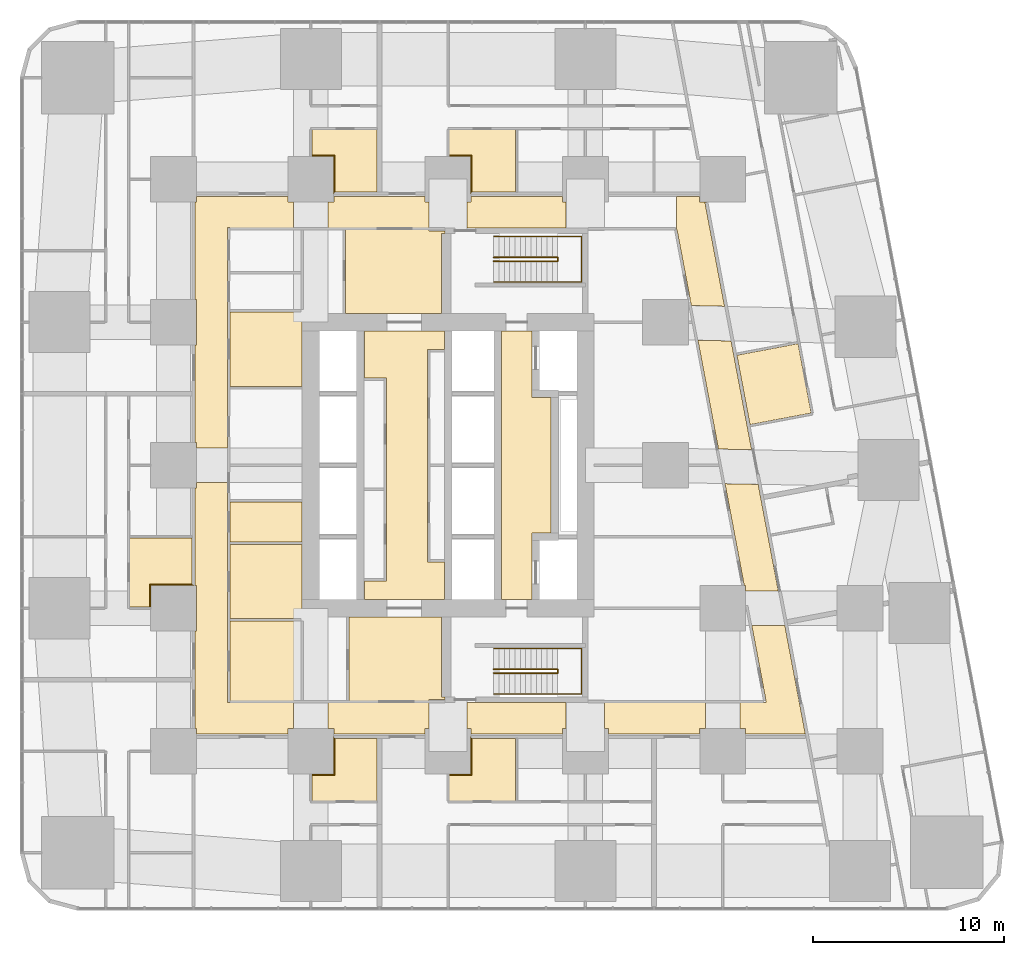
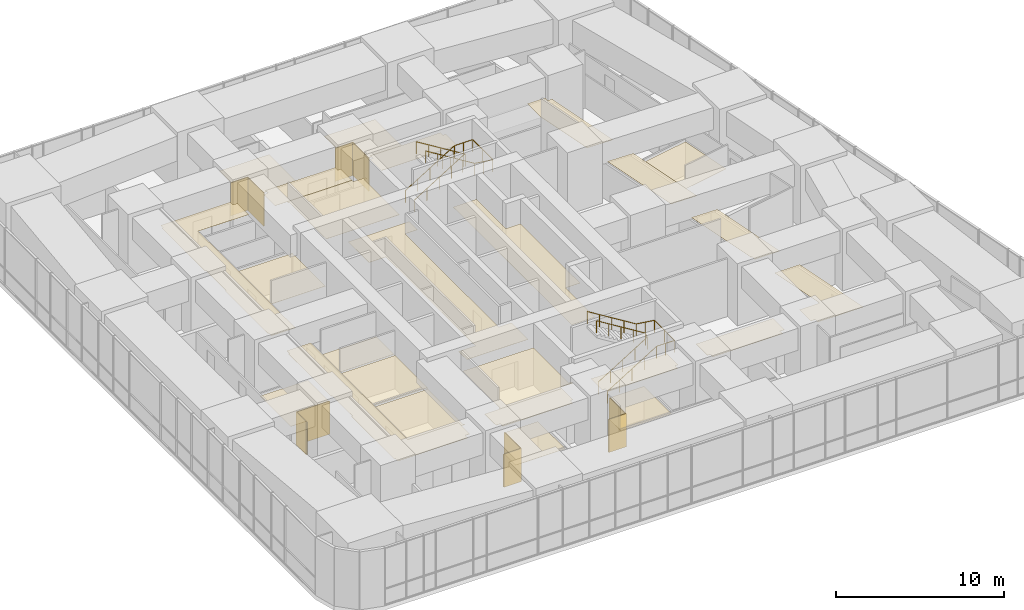
# One storey, part 21 of 22: 30 coverings, 4 railings.
"""IFC4 building model written with IfcOpenShell, lengths in metres."""

from ifc_helpers import new_model, si_unit, direction, frame, origin, origin_2d, place, context, subcontext, project, spatial, polyline, circle, outline, extrude, material, layer, layer_set, type_object, element, save


model = new_model("IFC4")

# Units and contexts
model_context = context("Model", 3, precision=1e-05, world=origin(), true_north=direction((0.0, 1.0)))
body_context = subcontext(model_context, "Body", "Model", "MODEL_VIEW")
ifc_project = project(units=[si_unit("LENGTHUNIT", "METRE"), si_unit("AREAUNIT", "SQUARE_METRE"), si_unit("VOLUMEUNIT", "CUBIC_METRE"), si_unit("PLANEANGLEUNIT", "RADIAN"), si_unit("MASSUNIT", "GRAM", prefix="KILO")], contexts=[model_context])

# Site, building, storey
site_placement = place(None, origin())
site = spatial("IfcSite", under=ifc_project, at=site_placement, CompositionType="ELEMENT")
building_placement = place(site_placement, origin())
building = spatial("IfcBuilding", under=site, at=building_placement, Name="Sheger Commons Tower", CompositionType="ELEMENT")
storey_placement = place(building_placement, frame((0.0, 0.0, 10.10009765625)))
storey = spatial("IfcBuildingStorey", under=building, at=storey_placement, Name="L02", CompositionType="ELEMENT", Elevation=10.10009765625)

# Railings
ifc_material_1 = material(Name="Steel handrail, black powder-coated", Category="steel")
railing_type = type_object("IfcRailingType", Name="HANDRAIL 900", PredefinedType="HANDRAIL", material=ifc_material_1)
railing_1_placement = place(storey_placement, frame((23.989990234375, 11.60009765625, 0.173095703125)))
element("IfcRailing", 1, at=railing_1_placement, inside=storey, type_object=railing_type, Name="Stair S1 handrail L02", PredefinedType="HANDRAIL", context=body_context, shape_type="SweptSolid", body=[
    extrude(circle(Radius=0.02392578125, at=origin_2d()), frame((0.0, 0.0, 0.8759765625), z_axis=(0.850623216509, 0.0, 0.525775754039), x_axis=(0.0, 1.0, 0.0)), (0.0, 0.0, 1.0), 3.9501953125),
    extrude(circle(Radius=0.02392578125, at=origin_2d()), frame((3.360107421875, 0.0, 2.95263671875), z_axis=(0.0, 0.756054473674, 0.654508695769), x_axis=(-1.0, 0.0, 0.0)), (0.0, 0.0, 1.0), 0.264404296875),
    extrude(circle(Radius=0.02392578125, at=origin_2d()), frame((3.360107421875, 0.199951171875, 3.1259765625), z_axis=(-0.850623216509, 0.0, 0.525775754039), x_axis=(0.0, -1.0, 0.0)), (0.0, 0.0, 1.0), 3.9501953125),
    extrude(circle(Radius=0.02099609375, at=origin_2d()), origin(), (0.0, 0.0, 1.0), 0.851806640625),
    extrude(circle(Radius=0.02099609375, at=origin_2d()), frame((0.840087890625, 0.0, 0.519287109375)), (0.0, 0.0, 1.0), 0.851806640625),
    extrude(circle(Radius=0.02099609375, at=origin_2d()), frame((1.68017578125, 0.0, 1.03857421875)), (0.0, 0.0, 1.0), 0.851806640625),
    extrude(circle(Radius=0.02099609375, at=origin_2d()), frame((2.52001953125, 0.0, 1.5576171875)), (0.0, 0.0, 1.0), 0.851806640625),
    extrude(circle(Radius=0.02099609375, at=origin_2d()), frame((3.360107421875, 0.0, 2.076904296875)), (0.0, 0.0, 1.0), 0.851806640625),
    extrude(circle(Radius=0.02099609375, at=origin_2d()), frame((3.360107421875, 0.199951171875, 2.25)), (0.0, 0.0, 1.0), 0.851806640625),
    extrude(circle(Radius=0.02099609375, at=origin_2d()), frame((2.52001953125, 0.199951171875, 2.769287109375)), (0.0, 0.0, 1.0), 0.851806640625),
    extrude(circle(Radius=0.02099609375, at=origin_2d()), frame((1.68017578125, 0.199951171875, 3.28857421875)), (0.0, 0.0, 1.0), 0.851806640625),
    extrude(circle(Radius=0.02099609375, at=origin_2d()), frame((0.840087890625, 0.199951171875, 3.8076171875)), (0.0, 0.0, 1.0), 0.851806640625),
    extrude(circle(Radius=0.02099609375, at=origin_2d()), frame((0.0, 0.199951171875, 4.326904296875)), (0.0, 0.0, 1.0), 0.851806640625),
])
railing_2_placement = place(storey_placement, frame((23.989990234375, 10.5, 0.173095703125)))
element("IfcRailing", 2, at=railing_2_placement, inside=storey, type_object=railing_type, Name="Stair S1 handrail L02", PredefinedType="HANDRAIL", context=body_context, shape_type="SweptSolid", body=[
    extrude(circle(Radius=0.02392578125, at=origin_2d()), frame((0.0, 0.0, 0.8759765625), z_axis=(0.850623216509, 0.0, 0.525775754039), x_axis=(0.0, 1.0, 0.0)), (0.0, 0.0, 1.0), 3.9501953125),
    extrude(circle(Radius=0.02392578125, at=origin_2d()), frame((3.360107421875, 0.0, 2.95263671875), z_axis=(1.0, 0.0, 0.0), x_axis=(0.0, 1.0, 0.0)), (0.0, 0.0, 1.0), 1.25),
    extrude(circle(Radius=0.02392578125, at=origin_2d()), frame((4.610107421875, 0.0, 2.95263671875), z_axis=(0.0, 1.0, 0.0), x_axis=(-1.0, 0.0, 0.0)), (0.0, 0.0, 1.0), 2.39990234375),
    extrude(circle(Radius=0.02392578125, at=origin_2d()), frame((4.610107421875, 2.39990234375, 2.95263671875), z_axis=(-0.990547844832, 0.0, 0.137167660544), x_axis=(0.0, -1.0, 0.0)), (0.0, 0.0, 1.0), 1.261962890625),
    extrude(circle(Radius=0.02392578125, at=origin_2d()), frame((3.360107421875, 2.39990234375, 3.1259765625), z_axis=(-0.850623216509, 0.0, 0.525775754039), x_axis=(0.0, -1.0, 0.0)), (0.0, 0.0, 1.0), 3.9501953125),
    extrude(circle(Radius=0.02099609375, at=origin_2d()), origin(), (0.0, 0.0, 1.0), 0.851806640625),
    extrude(circle(Radius=0.02099609375, at=origin_2d()), frame((0.840087890625, 0.0, 0.519287109375)), (0.0, 0.0, 1.0), 0.851806640625),
    extrude(circle(Radius=0.02099609375, at=origin_2d()), frame((1.68017578125, 0.0, 1.03857421875)), (0.0, 0.0, 1.0), 0.851806640625),
    extrude(circle(Radius=0.02099609375, at=origin_2d()), frame((2.52001953125, 0.0, 1.5576171875)), (0.0, 0.0, 1.0), 0.851806640625),
    extrude(circle(Radius=0.02099609375, at=origin_2d()), frame((3.360107421875, 0.0, 2.076904296875)), (0.0, 0.0, 1.0), 0.851806640625),
    extrude(circle(Radius=0.02099609375, at=origin_2d()), frame((3.985107421875, 0.0, 2.076904296875)), (0.0, 0.0, 1.0), 0.851806640625),
    extrude(circle(Radius=0.02099609375, at=origin_2d()), frame((4.610107421875, 0.0, 2.076904296875)), (0.0, 0.0, 1.0), 0.851806640625),
    extrude(circle(Radius=0.02099609375, at=origin_2d()), frame((4.610107421875, 1.199951171875, 2.076904296875)), (0.0, 0.0, 1.0), 0.851806640625),
    extrude(circle(Radius=0.02099609375, at=origin_2d()), frame((4.610107421875, 2.39990234375, 2.076904296875)), (0.0, 0.0, 1.0), 0.851806640625),
    extrude(circle(Radius=0.02099609375, at=origin_2d()), frame((3.985107421875, 2.39990234375, 2.16357421875)), (0.0, 0.0, 1.0), 0.851806640625),
    extrude(circle(Radius=0.02099609375, at=origin_2d()), frame((3.360107421875, 2.39990234375, 2.25)), (0.0, 0.0, 1.0), 0.851806640625),
    extrude(circle(Radius=0.02099609375, at=origin_2d()), frame((2.52001953125, 2.39990234375, 2.769287109375)), (0.0, 0.0, 1.0), 0.851806640625),
    extrude(circle(Radius=0.02099609375, at=origin_2d()), frame((1.68017578125, 2.39990234375, 3.28857421875)), (0.0, 0.0, 1.0), 0.851806640625),
    extrude(circle(Radius=0.02099609375, at=origin_2d()), frame((0.840087890625, 2.39990234375, 3.8076171875)), (0.0, 0.0, 1.0), 0.851806640625),
    extrude(circle(Radius=0.02099609375, at=origin_2d()), frame((0.0, 2.39990234375, 4.326904296875)), (0.0, 0.0, 1.0), 0.851806640625),
])
railing_3_placement = place(storey_placement, frame((23.989990234375, 33.39990234375, 0.173095703125)))
element("IfcRailing", 3, at=railing_3_placement, inside=storey, type_object=railing_type, Name="Stair S2 handrail L02", PredefinedType="HANDRAIL", context=body_context, shape_type="SweptSolid", body=[
    extrude(circle(Radius=0.02392578125, at=origin_2d()), frame((0.0, 0.0, 0.8759765625), z_axis=(0.850623216509, 0.0, 0.525775754039), x_axis=(0.0, 1.0, 0.0)), (0.0, 0.0, 1.0), 3.9501953125),
    extrude(circle(Radius=0.02392578125, at=origin_2d()), frame((3.360107421875, 0.0, 2.95263671875), z_axis=(0.0, -0.756054473674, 0.654508695769), x_axis=(1.0, 0.0, 0.0)), (0.0, 0.0, 1.0), 0.264404296875),
    extrude(circle(Radius=0.02392578125, at=origin_2d()), frame((3.360107421875, -0.199951171875, 3.1259765625), z_axis=(-0.850623216509, 0.0, 0.525775754039), x_axis=(0.0, -1.0, 0.0)), (0.0, 0.0, 1.0), 3.9501953125),
    extrude(circle(Radius=0.02099609375, at=origin_2d()), origin(), (0.0, 0.0, 1.0), 0.851806640625),
    extrude(circle(Radius=0.02099609375, at=origin_2d()), frame((0.840087890625, 0.0, 0.519287109375)), (0.0, 0.0, 1.0), 0.851806640625),
    extrude(circle(Radius=0.02099609375, at=origin_2d()), frame((1.68017578125, 0.0, 1.03857421875)), (0.0, 0.0, 1.0), 0.851806640625),
    extrude(circle(Radius=0.02099609375, at=origin_2d()), frame((2.52001953125, 0.0, 1.5576171875)), (0.0, 0.0, 1.0), 0.851806640625),
    extrude(circle(Radius=0.02099609375, at=origin_2d()), frame((3.360107421875, 0.0, 2.076904296875)), (0.0, 0.0, 1.0), 0.851806640625),
    extrude(circle(Radius=0.02099609375, at=origin_2d()), frame((3.360107421875, -0.199951171875, 2.25)), (0.0, 0.0, 1.0), 0.851806640625),
    extrude(circle(Radius=0.02099609375, at=origin_2d()), frame((2.52001953125, -0.199951171875, 2.769287109375)), (0.0, 0.0, 1.0), 0.851806640625),
    extrude(circle(Radius=0.02099609375, at=origin_2d()), frame((1.68017578125, -0.199951171875, 3.28857421875)), (0.0, 0.0, 1.0), 0.851806640625),
    extrude(circle(Radius=0.02099609375, at=origin_2d()), frame((0.840087890625, -0.199951171875, 3.8076171875)), (0.0, 0.0, 1.0), 0.851806640625),
    extrude(circle(Radius=0.02099609375, at=origin_2d()), frame((0.0, -0.199951171875, 4.326904296875)), (0.0, 0.0, 1.0), 0.851806640625),
])
railing_4_placement = place(storey_placement, frame((23.989990234375, 34.5, 0.173095703125)))
element("IfcRailing", 4, at=railing_4_placement, inside=storey, type_object=railing_type, Name="Stair S2 handrail L02", PredefinedType="HANDRAIL", context=body_context, shape_type="SweptSolid", body=[
    extrude(circle(Radius=0.02392578125, at=origin_2d()), frame((0.0, 0.0, 0.8759765625), z_axis=(0.850623216509, 0.0, 0.525775754039), x_axis=(0.0, 1.0, 0.0)), (0.0, 0.0, 1.0), 3.9501953125),
    extrude(circle(Radius=0.02392578125, at=origin_2d()), frame((3.360107421875, 0.0, 2.95263671875), z_axis=(1.0, 0.0, 0.0), x_axis=(0.0, 1.0, 0.0)), (0.0, 0.0, 1.0), 1.25),
    extrude(circle(Radius=0.02392578125, at=origin_2d()), frame((4.610107421875, 0.0, 2.95263671875), z_axis=(0.0, -1.0, 0.0), x_axis=(1.0, 0.0, 0.0)), (0.0, 0.0, 1.0), 2.39990234375),
    extrude(circle(Radius=0.02392578125, at=origin_2d()), frame((4.610107421875, -2.39990234375, 2.95263671875), z_axis=(-0.990547844832, 0.0, 0.137167660544), x_axis=(0.0, -1.0, 0.0)), (0.0, 0.0, 1.0), 1.261962890625),
    extrude(circle(Radius=0.02392578125, at=origin_2d()), frame((3.360107421875, -2.39990234375, 3.1259765625), z_axis=(-0.850623216509, 0.0, 0.525775754039), x_axis=(0.0, -1.0, 0.0)), (0.0, 0.0, 1.0), 3.9501953125),
    extrude(circle(Radius=0.02099609375, at=origin_2d()), origin(), (0.0, 0.0, 1.0), 0.851806640625),
    extrude(circle(Radius=0.02099609375, at=origin_2d()), frame((0.840087890625, 0.0, 0.519287109375)), (0.0, 0.0, 1.0), 0.851806640625),
    extrude(circle(Radius=0.02099609375, at=origin_2d()), frame((1.68017578125, 0.0, 1.03857421875)), (0.0, 0.0, 1.0), 0.851806640625),
    extrude(circle(Radius=0.02099609375, at=origin_2d()), frame((2.52001953125, 0.0, 1.5576171875)), (0.0, 0.0, 1.0), 0.851806640625),
    extrude(circle(Radius=0.02099609375, at=origin_2d()), frame((3.360107421875, 0.0, 2.076904296875)), (0.0, 0.0, 1.0), 0.851806640625),
    extrude(circle(Radius=0.02099609375, at=origin_2d()), frame((3.985107421875, 0.0, 2.076904296875)), (0.0, 0.0, 1.0), 0.851806640625),
    extrude(circle(Radius=0.02099609375, at=origin_2d()), frame((4.610107421875, 0.0, 2.076904296875)), (0.0, 0.0, 1.0), 0.851806640625),
    extrude(circle(Radius=0.02099609375, at=origin_2d()), frame((4.610107421875, -1.199951171875, 2.076904296875)), (0.0, 0.0, 1.0), 0.851806640625),
    extrude(circle(Radius=0.02099609375, at=origin_2d()), frame((4.610107421875, -2.39990234375, 2.076904296875)), (0.0, 0.0, 1.0), 0.851806640625),
    extrude(circle(Radius=0.02099609375, at=origin_2d()), frame((3.985107421875, -2.39990234375, 2.16357421875)), (0.0, 0.0, 1.0), 0.851806640625),
    extrude(circle(Radius=0.02099609375, at=origin_2d()), frame((3.360107421875, -2.39990234375, 2.25)), (0.0, 0.0, 1.0), 0.851806640625),
    extrude(circle(Radius=0.02099609375, at=origin_2d()), frame((2.52001953125, -2.39990234375, 2.769287109375)), (0.0, 0.0, 1.0), 0.851806640625),
    extrude(circle(Radius=0.02099609375, at=origin_2d()), frame((1.68017578125, -2.39990234375, 3.28857421875)), (0.0, 0.0, 1.0), 0.851806640625),
    extrude(circle(Radius=0.02099609375, at=origin_2d()), frame((0.840087890625, -2.39990234375, 3.8076171875)), (0.0, 0.0, 1.0), 0.851806640625),
    extrude(circle(Radius=0.02099609375, at=origin_2d()), frame((0.0, -2.39990234375, 4.326904296875)), (0.0, 0.0, 1.0), 0.851806640625),
])

# Coverings
ifc_material_2 = material(Name="Moisture-resistant gypsum plasterboard 15 mm on a suspended galvanised steel grid", Category="steel")
ifc_layer_1 = layer(ifc_material_2, 0.014892578125)
ifc_layer_set_1 = layer_set([ifc_layer_1], Name="MOISTURE-RESISTANT CEILING 15")
covering_type_1 = type_object("IfcCoveringType", Name="MOISTURE-RESISTANT CEILING 15", PredefinedType="CEILING", material=ifc_layer_set_1)
covering_1_placement = place(storey_placement, frame((0.0, 0.0, 2.39990234375)))
element("IfcCovering", 5, at=covering_1_placement, inside=storey, type_object=covering_type_1, Name="L02-02.B1 ceiling", PredefinedType="CEILING", context=body_context, shape_type="SweptSolid", body=[
    extrude(outline(polyline([(4.905029296875, 15.054931640625), (5.9951171875, 15.054931640625), (5.9951171875, 16.205078125), (8.169921875, 16.205078125), (8.169921875, 18.695068359375), (4.905029296875, 18.695068359375), (4.905029296875, 15.054931640625)])), origin(), (0.0, 0.0, 1.0), 0.014892578125),
])
covering_2_placement = place(storey_placement, frame((0.0, 0.0, 2.39990234375)))
element("IfcCovering", 6, at=covering_2_placement, inside=storey, type_object=covering_type_1, Name="L02-04.B1 ceiling", PredefinedType="CEILING", context=body_context, shape_type="SweptSolid", body=[
    extrude(outline(polyline([(14.455078125, 4.905029296875), (17.8701171875, 4.905029296875), (17.8701171875, 8.169921875), (15.60498046875, 8.169921875), (15.60498046875, 6.294921875), (14.455078125, 6.294921875), (14.455078125, 4.905029296875)])), origin(), (0.0, 0.0, 1.0), 0.014892578125),
])
covering_3_placement = place(storey_placement, frame((0.0, 0.0, 2.39990234375)))
element("IfcCovering", 7, at=covering_3_placement, inside=storey, type_object=covering_type_1, Name="L02-05.B1 ceiling", PredefinedType="CEILING", context=body_context, shape_type="SweptSolid", body=[
    extrude(outline(polyline([(21.655029296875, 4.905029296875), (25.14501953125, 4.905029296875), (25.14501953125, 8.169921875), (22.804931640625, 8.169921875), (22.804931640625, 6.294921875), (21.655029296875, 6.294921875), (21.655029296875, 4.905029296875)])), origin(), (0.0, 0.0, 1.0), 0.014892578125),
])
covering_4_placement = place(storey_placement, frame((0.0, 0.0, 2.39990234375)))
element("IfcCovering", 8, at=covering_4_placement, inside=storey, type_object=covering_type_1, Name="L02-07.B1 ceiling", PredefinedType="CEILING", context=body_context, shape_type="SweptSolid", body=[
    extrude(outline(polyline([(37.43408203125, 24.6298828125), (40.64111328125, 25.236083984375), (39.952880859375, 28.876953125), (36.74609375, 28.27099609375), (37.43408203125, 24.6298828125)])), origin(), (0.0, 0.0, 1.0), 0.014892578125),
])
covering_5_placement = place(storey_placement, frame((0.0, 0.0, 2.39990234375)))
element("IfcCovering", 9, at=covering_5_placement, inside=storey, type_object=covering_type_1, Name="L02-10.B1 ceiling", PredefinedType="CEILING", context=body_context, shape_type="SweptSolid", body=[
    extrude(outline(polyline([(15.60498046875, 36.830078125), (17.8701171875, 36.830078125), (17.8701171875, 40.094970703125), (14.455078125, 40.094970703125), (14.455078125, 38.705078125), (15.60498046875, 38.705078125), (15.60498046875, 36.830078125)])), origin(), (0.0, 0.0, 1.0), 0.014892578125),
])
covering_6_placement = place(storey_placement, frame((0.0, 0.0, 2.39990234375)))
element("IfcCovering", 10, at=covering_6_placement, inside=storey, type_object=covering_type_1, Name="L02-11.B1 ceiling", PredefinedType="CEILING", context=body_context, shape_type="SweptSolid", body=[
    extrude(outline(polyline([(22.804931640625, 36.830078125), (25.14501953125, 36.830078125), (25.14501953125, 40.094970703125), (21.655029296875, 40.094970703125), (21.655029296875, 38.705078125), (22.804931640625, 38.705078125), (22.804931640625, 36.830078125)])), origin(), (0.0, 0.0, 1.0), 0.014892578125),
])
covering_7_placement = place(storey_placement, frame((0.0, 0.0, 2.39990234375)))
element("IfcCovering", 11, at=covering_7_placement, inside=storey, type_object=covering_type_1, Name="L02-SVW0 ceiling", PredefinedType="CEILING", context=body_context, shape_type="SweptSolid", body=[
    extrude(outline(polyline([(10.16796875, 10.050048828125), (13.949951171875, 10.050048828125), (13.949951171875, 10.157958984375), (13.882080078125, 10.157958984375), (13.882080078125, 14.33203125), (10.16796875, 14.33203125), (10.16796875, 10.050048828125)])), origin(), (0.0, 0.0, 1.0), 0.014892578125),
])
covering_8_placement = place(storey_placement, frame((0.0, 0.0, 2.39990234375)))
element("IfcCovering", 12, at=covering_8_placement, inside=storey, type_object=covering_type_1, Name="L02-SVW1 ceiling", PredefinedType="CEILING", context=body_context, shape_type="SweptSolid", body=[
    extrude(outline(polyline([(13.89306640625, 14.39990234375), (13.949951171875, 14.39990234375), (13.949951171875, 14.544921875), (13.945068359375, 14.544921875), (13.945068359375, 15.455078125), (13.949951171875, 15.455078125), (13.949951171875, 18.33203125), (10.16796875, 18.33203125), (10.16796875, 14.468017578125), (13.89306640625, 14.468017578125), (13.89306640625, 14.39990234375)])), origin(), (0.0, 0.0, 1.0), 0.014892578125),
])
covering_9_placement = place(storey_placement, frame((0.0, 0.0, 2.39990234375)))
element("IfcCovering", 13, at=covering_9_placement, inside=storey, type_object=covering_type_1, Name="L02-SVW1b ceiling", PredefinedType="CEILING", context=body_context, shape_type="SweptSolid", body=[
    extrude(outline(polyline([(10.16796875, 18.467041015625), (13.949951171875, 18.467041015625), (13.949951171875, 20.58203125), (10.16796875, 20.58203125), (10.16796875, 18.467041015625)])), origin(), (0.0, 0.0, 1.0), 0.014892578125),
])
covering_10_placement = place(storey_placement, frame((0.0, 0.0, 2.39990234375)))
element("IfcCovering", 14, at=covering_10_placement, inside=storey, type_object=covering_type_1, Name="L02-SVW2b ceiling", PredefinedType="CEILING", context=body_context, shape_type="SweptSolid", body=[
    extrude(outline(polyline([(10.16796875, 26.616943359375), (13.949951171875, 26.616943359375), (13.949951171875, 29.544921875), (13.945068359375, 29.544921875), (13.945068359375, 30.455078125), (13.949951171875, 30.455078125), (13.949951171875, 30.60009765625), (13.89306640625, 30.60009765625), (13.89306640625, 30.532958984375), (10.16796875, 30.532958984375), (10.16796875, 26.616943359375)])), origin(), (0.0, 0.0, 1.0), 0.014892578125),
])
ifc_material_3 = material(Name="Gypsum plasterboard 15 mm on a suspended steel grid", Category="steel")
ifc_layer_2 = layer(ifc_material_3, 0.014892578125)
ifc_layer_set_2 = layer_set([ifc_layer_2], Name="SUSPENDED CEILING 15")
covering_type_2 = type_object("IfcCoveringType", Name="SUSPENDED CEILING 15", PredefinedType="CEILING", material=ifc_layer_set_2)
covering_11_placement = place(storey_placement, frame((0.0, 0.0, 2.699951171875)))
element("IfcCovering", 15, at=covering_11_placement, inside=storey, type_object=covering_type_2, Name="L02-CO ceiling", PredefinedType="CEILING", context=body_context, shape_type="SweptSolid", body=[
    extrude(outline(polyline([(8.405029296875, 8.405029296875), (13.195068359375, 8.405029296875), (13.195068359375, 8.705078125), (13.4951171875, 8.705078125), (13.4951171875, 10.050048828125), (10.16796875, 10.050048828125), (10.16796875, 10.044921875), (10.031982421875, 10.044921875), (10.031982421875, 21.594970703125), (8.405029296875, 21.594970703125), (8.405029296875, 21.294921875), (8.330078125, 21.294921875), (8.330078125, 16.205078125), (8.405029296875, 16.205078125), (8.405029296875, 13.794921875), (8.330078125, 13.794921875), (8.330078125, 8.705078125), (8.405029296875, 8.705078125), (8.405029296875, 8.405029296875)])), origin(), (0.0, 0.0, 1.0), 0.014892578125),
])
covering_12_placement = place(storey_placement, frame((0.0, 0.0, 2.699951171875)))
element("IfcCovering", 16, at=covering_12_placement, inside=storey, type_object=covering_type_2, Name="L02-CO ceiling", PredefinedType="CEILING", context=body_context, shape_type="SweptSolid", body=[
    extrude(outline(polyline([(15.60498046875, 8.405029296875), (20.39501953125, 8.405029296875), (20.39501953125, 8.705078125), (20.594970703125, 8.705078125), (20.594970703125, 10.050048828125), (15.304931640625, 10.050048828125), (15.304931640625, 8.705078125), (15.60498046875, 8.705078125), (15.60498046875, 8.405029296875)])), origin(), (0.0, 0.0, 1.0), 0.014892578125),
])
covering_13_placement = place(storey_placement, frame((0.0, 0.0, 2.699951171875)))
element("IfcCovering", 17, at=covering_13_placement, inside=storey, type_object=covering_type_2, Name="L02-CO ceiling", PredefinedType="CEILING", context=body_context, shape_type="SweptSolid", body=[
    extrude(outline(polyline([(22.804931640625, 8.405029296875), (27.594970703125, 8.405029296875), (27.594970703125, 8.705078125), (27.794921875, 8.705078125), (27.794921875, 10.044921875), (22.60498046875, 10.044921875), (22.60498046875, 8.705078125), (22.804931640625, 8.705078125), (22.804931640625, 8.405029296875)])), origin(), (0.0, 0.0, 1.0), 0.014892578125),
])
covering_14_placement = place(storey_placement, frame((0.0, 0.0, 2.699951171875)))
element("IfcCovering", 18, at=covering_14_placement, inside=storey, type_object=covering_type_2, Name="L02-CO ceiling", PredefinedType="CEILING", context=body_context, shape_type="SweptSolid", body=[
    extrude(outline(polyline([(30.0048828125, 8.405029296875), (34.794921875, 8.405029296875), (34.794921875, 8.705078125), (35.094970703125, 8.705078125), (35.094970703125, 10.050048828125), (29.804931640625, 10.050048828125), (29.804931640625, 8.705078125), (30.0048828125, 8.705078125), (30.0048828125, 8.405029296875)])), origin(), (0.0, 0.0, 1.0), 0.014892578125),
])
covering_15_placement = place(storey_placement, frame((0.0, 0.0, 2.699951171875)))
element("IfcCovering", 19, at=covering_15_placement, inside=storey, type_object=covering_type_2, Name="L02-CO ceiling", PredefinedType="CEILING", context=body_context, shape_type="SweptSolid", body=[
    extrude(outline(polyline([(37.205078125, 8.405029296875), (40.3349609375, 8.405029296875), (39.260009765625, 14.094970703125), (37.528076171875, 14.094970703125), (38.26904296875, 10.1708984375), (38.251953125, 10.1669921875), (38.27392578125, 10.050048828125), (36.905029296875, 10.050048828125), (36.905029296875, 8.705078125), (37.205078125, 8.705078125), (37.205078125, 8.405029296875)])), origin(), (0.0, 0.0, 1.0), 0.014892578125),
])
covering_16_placement = place(storey_placement, frame((0.0, 0.0, 2.699951171875)))
element("IfcCovering", 20, at=covering_16_placement, inside=storey, type_object=covering_type_2, Name="L02-CO ceiling", PredefinedType="CEILING", context=body_context, shape_type="SweptSolid", body=[
    extrude(outline(polyline([(37.205078125, 15.905029296875), (38.9189453125, 15.905029296875), (37.863037109375, 21.49609375), (36.123046875, 21.531982421875), (37.1259765625, 16.220947265625), (37.10888671875, 16.217041015625), (37.111083984375, 16.205078125), (37.205078125, 16.205078125), (37.205078125, 15.905029296875)])), origin(), (0.0, 0.0, 1.0), 0.014892578125),
])
covering_17_placement = place(storey_placement, frame((0.0, 0.0, 2.699951171875)))
element("IfcCovering", 21, at=covering_17_placement, inside=storey, type_object=covering_type_2, Name="L02-CO ceiling", PredefinedType="CEILING", context=body_context, shape_type="SweptSolid", body=[
    extrude(outline(polyline([(37.51904296875, 23.31396484375), (36.44189453125, 29.01708984375), (34.701904296875, 29.055908203125), (35.780029296875, 23.34912109375), (37.51904296875, 23.31396484375)])), origin(), (0.0, 0.0, 1.0), 0.014892578125),
])
covering_18_placement = place(storey_placement, frame((0.0, 0.0, 2.699951171875)))
element("IfcCovering", 22, at=covering_18_placement, inside=storey, type_object=covering_type_2, Name="L02-CO ceiling", PredefinedType="CEILING", context=body_context, shape_type="SweptSolid", body=[
    extrude(outline(polyline([(8.405029296875, 23.405029296875), (10.031982421875, 23.405029296875), (10.031982421875, 34.955078125), (10.16796875, 34.955078125), (10.16796875, 34.949951171875), (13.4951171875, 34.949951171875), (13.4951171875, 36.294921875), (13.195068359375, 36.294921875), (13.195068359375, 36.594970703125), (8.405029296875, 36.594970703125), (8.405029296875, 36.294921875), (8.330078125, 36.294921875), (8.330078125, 31.205078125), (8.405029296875, 31.205078125), (8.405029296875, 28.794921875), (8.330078125, 28.794921875), (8.330078125, 23.705078125), (8.405029296875, 23.705078125), (8.405029296875, 23.405029296875)])), origin(), (0.0, 0.0, 1.0), 0.014892578125),
])
covering_19_placement = place(storey_placement, frame((0.0, 0.0, 2.699951171875)))
element("IfcCovering", 23, at=covering_19_placement, inside=storey, type_object=covering_type_2, Name="L02-CO ceiling", PredefinedType="CEILING", context=body_context, shape_type="SweptSolid", body=[
    extrude(outline(polyline([(36.09912109375, 30.8349609375), (35.071044921875, 36.27490234375), (35.14892578125, 36.2900390625), (35.14794921875, 36.294921875), (34.794921875, 36.294921875), (34.794921875, 36.594970703125), (33.572998046875, 36.594970703125), (33.572998046875, 34.947998046875), (33.571044921875, 34.947998046875), (33.589111328125, 34.85205078125), (33.60595703125, 34.85498046875), (34.29296875, 31.220947265625), (34.27587890625, 31.217041015625), (34.31005859375, 31.037109375), (34.326904296875, 31.0400390625), (34.35888671875, 30.875), (36.09912109375, 30.8349609375)])), origin(), (0.0, 0.0, 1.0), 0.014892578125),
])
covering_20_placement = place(storey_placement, frame((0.0, 0.0, 2.699951171875)))
element("IfcCovering", 24, at=covering_20_placement, inside=storey, type_object=covering_type_2, Name="L02-CO ceiling", PredefinedType="CEILING", context=body_context, shape_type="SweptSolid", body=[
    extrude(outline(polyline([(15.304931640625, 34.949951171875), (20.594970703125, 34.949951171875), (20.594970703125, 36.294921875), (20.39501953125, 36.294921875), (20.39501953125, 36.594970703125), (15.60498046875, 36.594970703125), (15.60498046875, 36.294921875), (15.304931640625, 36.294921875), (15.304931640625, 34.949951171875)])), origin(), (0.0, 0.0, 1.0), 0.014892578125),
])
covering_21_placement = place(storey_placement, frame((0.0, 0.0, 2.699951171875)))
element("IfcCovering", 25, at=covering_21_placement, inside=storey, type_object=covering_type_2, Name="L02-CO ceiling", PredefinedType="CEILING", context=body_context, shape_type="SweptSolid", body=[
    extrude(outline(polyline([(22.60498046875, 34.949951171875), (27.794921875, 34.949951171875), (27.794921875, 36.294921875), (27.594970703125, 36.294921875), (27.594970703125, 36.594970703125), (22.804931640625, 36.594970703125), (22.804931640625, 36.294921875), (22.60498046875, 36.294921875), (22.60498046875, 34.949951171875)])), origin(), (0.0, 0.0, 1.0), 0.014892578125),
])
covering_22_placement = place(storey_placement, frame((0.0, 0.0, 2.699951171875)))
element("IfcCovering", 26, at=covering_22_placement, inside=storey, type_object=covering_type_2, Name="L02-SVS1 ceiling", PredefinedType="CEILING", context=body_context, shape_type="SweptSolid", body=[
    extrude(outline(polyline([(16.340087890625, 10.050048828125), (20.594970703125, 10.050048828125), (20.594970703125, 10.205078125), (21.445068359375, 10.205078125), (21.445068359375, 10.344970703125), (21.2451171875, 10.344970703125), (21.2451171875, 14.544921875), (16.406982421875, 14.544921875), (16.406982421875, 10.157958984375), (16.340087890625, 10.157958984375), (16.340087890625, 10.050048828125)])), origin(), (0.0, 0.0, 1.0), 0.014892578125),
])
covering_23_placement = place(storey_placement, frame((0.0, 0.0, 2.699951171875)))
element("IfcCovering", 27, at=covering_23_placement, inside=storey, type_object=covering_type_2, Name="L02-SVN1 ceiling", PredefinedType="CEILING", context=body_context, shape_type="SweptSolid", body=[
    extrude(outline(polyline([(16.217041015625, 30.455078125), (21.2451171875, 30.455078125), (21.2451171875, 34.655029296875), (21.445068359375, 34.655029296875), (21.445068359375, 34.794921875), (20.594970703125, 34.794921875), (20.594970703125, 34.949951171875), (16.14990234375, 34.949951171875), (16.14990234375, 34.842041015625), (16.217041015625, 34.842041015625), (16.217041015625, 30.455078125)])), origin(), (0.0, 0.0, 1.0), 0.014892578125),
])
covering_24_placement = place(storey_placement, frame((0.0, 0.0, 2.699951171875)))
element("IfcCovering", 28, at=covering_24_placement, inside=storey, type_object=covering_type_2, Name="L02-LL ceiling", PredefinedType="CEILING", context=body_context, shape_type="SweptSolid", body=[
    extrude(outline(polyline([(17.205078125, 15.455078125), (21.39990234375, 15.455078125), (21.39990234375, 17.43310546875), (20.657958984375, 17.43310546875), (20.532958984375, 17.43310546875), (20.532958984375, 28.56689453125), (20.657958984375, 28.56689453125), (21.39990234375, 28.56689453125), (21.39990234375, 29.544921875), (17.205078125, 29.544921875), (17.205078125, 27.06689453125), (18.242919921875, 27.06689453125), (18.366943359375, 27.06689453125), (18.366943359375, 16.43310546875), (18.242919921875, 16.43310546875), (17.205078125, 16.43310546875), (17.205078125, 15.455078125)])), origin(), (0.0, 0.0, 1.0), 0.014892578125),
])
covering_25_placement = place(storey_placement, frame((0.0, 0.0, 2.699951171875)))
element("IfcCovering", 29, at=covering_25_placement, inside=storey, type_object=covering_type_2, Name="L02-FL ceiling", PredefinedType="CEILING", context=body_context, shape_type="SweptSolid", body=[
    extrude(outline(polyline([(24.405029296875, 15.455078125), (25.9951171875, 15.455078125), (25.9951171875, 18.955078125), (26.9951171875, 18.955078125), (26.9951171875, 26.044921875), (25.9951171875, 26.044921875), (25.9951171875, 29.544921875), (24.405029296875, 29.544921875), (24.405029296875, 15.455078125)])), origin(), (0.0, 0.0, 1.0), 0.014892578125),
])
ifc_material_4 = material(Name="Moisture-resistant gypsum board 12.5 mm on 25 mm treated timber battens, tanked and tiled", Category="wood")
ifc_layer_3 = layer(ifc_material_4, 0.050048828125)
ifc_layer_set_3 = layer_set([ifc_layer_3], Name="WET-ROOM COLUMN LINING")
covering_type_3 = type_object("IfcCoveringType", Name="WET-ROOM COLUMN LINING", PredefinedType="CLADDING", material=ifc_layer_set_3)
covering_26_placement = place(storey_placement, origin())
element("IfcCovering", 30, at=covering_26_placement, inside=storey, type_object=covering_type_3, Name="Patient WC column lining C5 L02", PredefinedType="CLADDING", context=body_context, shape_type="SweptSolid", body=[
    extrude(outline(polyline([(14.449951171875, 6.25), (14.449951171875, 6.299072265625), (14.39990234375, 6.299072265625), (14.39990234375, 6.300048828125), (15.60009765625, 6.300048828125), (15.60009765625, 8.25), (15.60107421875, 8.25), (15.60107421875, 8.175048828125), (15.64990234375, 8.175048828125), (15.64990234375, 6.25), (14.449951171875, 6.25)])), origin(), (0.0, 0.0, 1.0), 2.39990234375),
])
covering_27_placement = place(storey_placement, origin())
element("IfcCovering", 31, at=covering_27_placement, inside=storey, type_object=covering_type_3, Name="Patient WC column lining C5 L02", PredefinedType="CLADDING", context=body_context, shape_type="SweptSolid", body=[
    extrude(outline(polyline([(21.64990234375, 6.25), (21.64990234375, 6.299072265625), (21.60009765625, 6.299072265625), (21.60009765625, 6.300048828125), (22.800048828125, 6.300048828125), (22.800048828125, 8.25), (22.801025390625, 8.25), (22.801025390625, 8.175048828125), (22.85009765625, 8.175048828125), (22.85009765625, 6.25), (21.64990234375, 6.25)])), origin(), (0.0, 0.0, 1.0), 2.39990234375),
])
covering_28_placement = place(storey_placement, origin())
element("IfcCovering", 32, at=covering_28_placement, inside=storey, type_object=covering_type_3, Name="Patient WC column lining C5 L02", PredefinedType="CLADDING", context=body_context, shape_type="SweptSolid", body=[
    extrude(outline(polyline([(8.175048828125, 16.25), (8.175048828125, 16.200927734375), (8.25, 16.200927734375), (8.25, 16.199951171875), (6.0, 16.199951171875), (6.0, 15.0), (5.9990234375, 15.0), (5.9990234375, 15.050048828125), (5.949951171875, 15.050048828125), (5.949951171875, 16.25), (8.175048828125, 16.25)])), origin(), (0.0, 0.0, 1.0), 2.39990234375),
])
covering_29_placement = place(storey_placement, origin())
element("IfcCovering", 33, at=covering_29_placement, inside=storey, type_object=covering_type_3, Name="Patient WC column lining C5 L02", PredefinedType="CLADDING", context=body_context, shape_type="SweptSolid", body=[
    extrude(outline(polyline([(15.64990234375, 36.824951171875), (15.60107421875, 36.824951171875), (15.60107421875, 36.75), (15.60009765625, 36.75), (15.60009765625, 38.699951171875), (14.39990234375, 38.699951171875), (14.39990234375, 38.700927734375), (14.449951171875, 38.700927734375), (14.449951171875, 38.75), (15.64990234375, 38.75), (15.64990234375, 36.824951171875)])), origin(), (0.0, 0.0, 1.0), 2.39990234375),
])
covering_30_placement = place(storey_placement, origin())
element("IfcCovering", 34, at=covering_30_placement, inside=storey, type_object=covering_type_3, Name="Patient WC column lining C5 L02", PredefinedType="CLADDING", context=body_context, shape_type="SweptSolid", body=[
    extrude(outline(polyline([(22.85009765625, 36.824951171875), (22.801025390625, 36.824951171875), (22.801025390625, 36.75), (22.800048828125, 36.75), (22.800048828125, 38.699951171875), (21.60009765625, 38.699951171875), (21.60009765625, 38.700927734375), (21.64990234375, 38.700927734375), (21.64990234375, 38.75), (22.85009765625, 38.75), (22.85009765625, 36.824951171875)])), origin(), (0.0, 0.0, 1.0), 2.39990234375),
])

save(model, "model.ifc")
